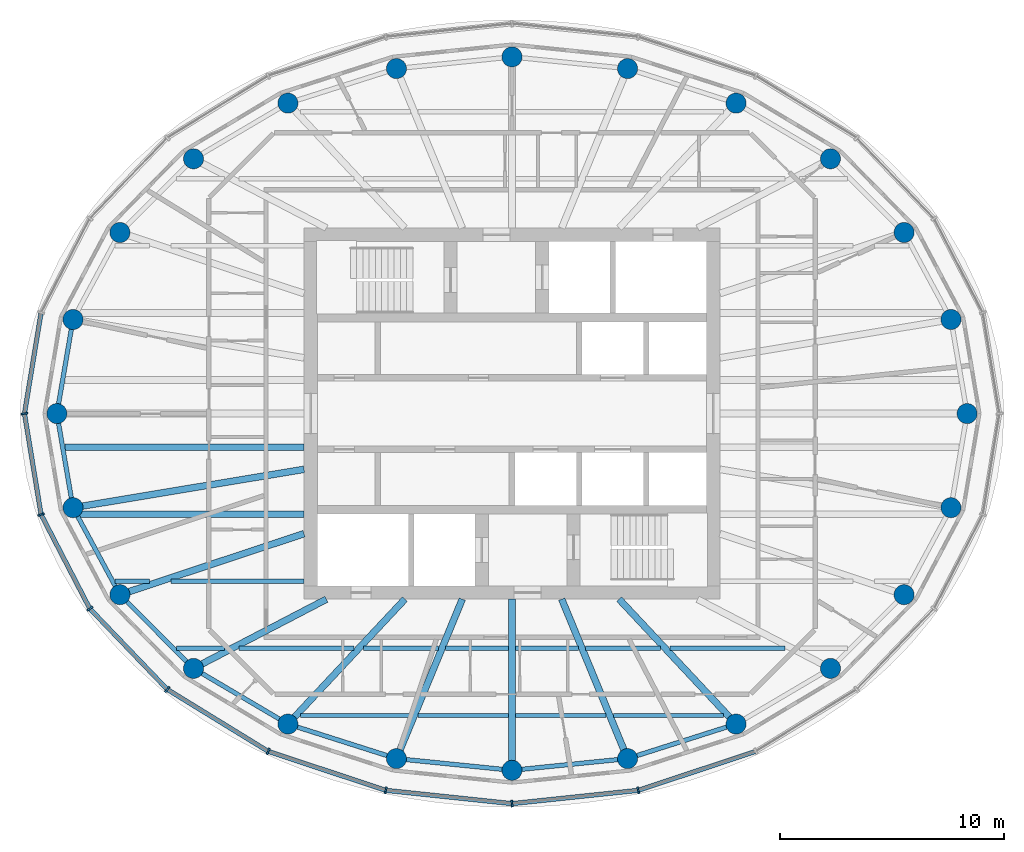
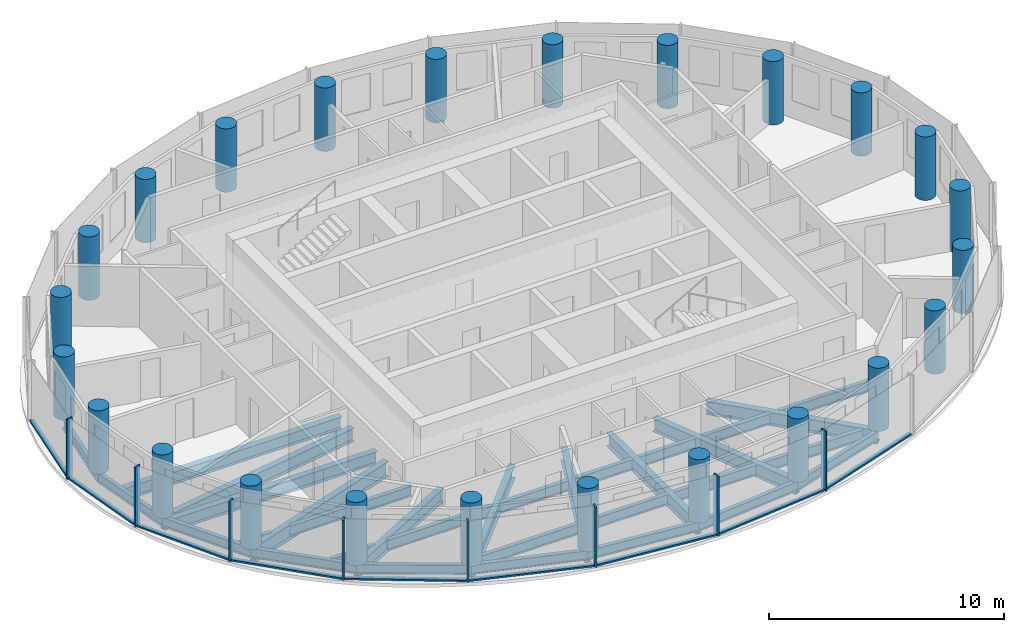
# One storey, part 1 of 11: 32 beams, 24 columns, 17 members, 3 elements without a shape of their own.
"""IFC4 building model written with IfcOpenShell, lengths in metres."""

from ifc_helpers import new_model, si_unit, direction, frame, origin, origin_2d, place, context, subcontext, project, spatial, rectangle, circle, i_section, extrude, material, material_profile, profile_set, type_object, element, aggregate, save


model = new_model("IFC4")

# Units and contexts
model_context = context("Model", 3, precision=1e-05, world=origin(), true_north=direction((0.0, 1.0)))
body_context = subcontext(model_context, "Body", "Model", "MODEL_VIEW")
ifc_project = project(units=[si_unit("LENGTHUNIT", "METRE"), si_unit("AREAUNIT", "SQUARE_METRE"), si_unit("VOLUMEUNIT", "CUBIC_METRE"), si_unit("PLANEANGLEUNIT", "RADIAN"), si_unit("MASSUNIT", "GRAM", prefix="KILO")], contexts=[model_context])

# Site, building, storey
site_placement = place(None, origin())
site = spatial("IfcSite", under=ifc_project, at=site_placement, CompositionType="ELEMENT")
building_placement = place(site_placement, origin())
building = spatial("IfcBuilding", under=site, at=building_placement, Name="Hankou Lantern Tower", CompositionType="ELEMENT")
storey_placement = place(building_placement, frame((0.0, 0.0, 212.699951171875)))
storey = spatial("IfcBuildingStorey", under=building, at=storey_placement, Name="L57", CompositionType="ELEMENT", Elevation=212.699951171875)

# Columns
ifc_material_1 = material(Name="Concrete C50", Category="concrete")
ifc_material_profile_1 = material_profile(ifc_material_1, circle(Radius=0.449951171875, at=origin_2d()), Name="RC D900")
ifc_profile_set_1 = profile_set([ifc_material_profile_1], Name="Concrete C50")
column_type = type_object("IfcColumnType", Name="TC5 PERIMETER COLUMN RC D900", PredefinedType="COLUMN", material=ifc_profile_set_1)
for number, where, z_axis, x_axis, name in (
    (1, (20.35009765625, 0.0, 0.0), (0.0, 0.0, 1.0), (1.0, 0.0, 0.0), "Column R01 L57"),
    (2, (19.629150390625, 4.207763671875, 0.0), (0.0, 0.0, 1.0), (1.0, 0.0, 0.0), "Column R02 L57"),
    (3, (17.5322265625, 8.097900390625, 0.0), (0.0, 0.0, 1.0), (1.0, 0.0, 0.0), "Column R03 L57"),
    (4, (14.241455078125, 11.393310546875, 0.0), (0.0, 0.0, 1.0), (1.0, 0.0, 0.0), "Column R04 L57"),
    (5, (10.01904296875, 13.8828125, 0.0), (0.0, 0.0, 1.0), (1.0, 0.0, 0.0), "Column R05 L57"),
    (6, (5.167236328125, 15.42724609375, 0.0), (0.0, 0.0, 1.0), (1.0, 0.0, 0.0), "Column R06 L57"),
    (7, (0.0, 15.949951171875, 0.0), (0.0, 0.0, 1.0), (1.0, 0.0, 0.0), "Column R07 L57"),
    (8, (-5.167236328125, 15.42724609375, 0.0), (0.0, 0.0, 1.0), (1.0, 0.0, 0.0), "Column R08 L57"),
    (9, (-10.01904296875, 13.8828125, 0.0), (0.0, 0.0, 1.0), (1.0, 0.0, 0.0), "Column R09 L57"),
    (10, (-14.241455078125, 11.393310546875, 0.0), (0.0, 0.0, 1.0), (1.0, 0.0, 0.0), "Column R10 L57"),
    (11, (-17.5322265625, 8.097900390625, 0.0), (0.0, 0.0, 1.0), (1.0, 0.0, 0.0), "Column R11 L57"),
    (12, (-19.629150390625, 4.207763671875, 0.0), (0.0, 0.0, 1.0), (1.0, 0.0, 0.0), "Column R12 L57"),
    (13, (-20.35009765625, 0.0, 0.0), (0.0, 0.0, 1.0), (1.0, 0.0, 0.0), "Column R13 L57"),
    (14, (-19.629150390625, -4.207763671875, 0.0), (0.0, 0.0, 1.0), (1.0, 0.0, 0.0), "Column R14 L57"),
    (15, (-17.5322265625, -8.097900390625, 0.0), (0.0, 0.0, 1.0), (1.0, 0.0, 0.0), "Column R15 L57"),
    (16, (-14.241455078125, -11.393310546875, 0.0), (0.0, 0.0, 1.0), (1.0, 0.0, 0.0), "Column R16 L57"),
    (17, (-10.01904296875, -13.8828125, 0.0), (0.0, 0.0, 1.0), (1.0, 0.0, 0.0), "Column R17 L57"),
    (18, (-5.167236328125, -15.42724609375, 0.0), (0.0, 0.0, 1.0), (1.0, 0.0, 0.0), "Column R18 L57"),
    (19, (0.0, -15.949951171875, 0.0), (0.0, 0.0, 1.0), (1.0, 0.0, 0.0), "Column R19 L57"),
    (20, (5.167236328125, -15.42724609375, 0.0), (0.0, 0.0, 1.0), (1.0, 0.0, 0.0), "Column R20 L57"),
    (21, (10.01904296875, -13.8828125, 0.0), (0.0, 0.0, 1.0), (1.0, 0.0, 0.0), "Column R21 L57"),
    (22, (14.241455078125, -11.393310546875, 0.0), (0.0, 0.0, 1.0), (1.0, 0.0, 0.0), "Column R22 L57"),
    (23, (17.5322265625, -8.097900390625, 0.0), (0.0, 0.0, 1.0), (1.0, 0.0, 0.0), "Column R23 L57"),
    (24, (19.629150390625, -4.207763671875, 0.0), (0.0, 0.0, 1.0), (1.0, 0.0, 0.0), "Column R24 L57"),
):
    element("IfcColumn", number, at=place(storey_placement, frame(where, z_axis=z_axis, x_axis=x_axis)), inside=storey, type_object=column_type, Name=name, PredefinedType="COLUMN", context=body_context, shape_type="SweptSolid", body=[
        extrude(circle(Radius=0.449951171875, at=origin_2d()), origin(), (0.0, 0.0, 1.0), 3.300048828125),
    ])

# Beams
ifc_material_2 = material(Name="Steel Q355B", Category="steel")
ifc_material_profile_2 = material_profile(ifc_material_2, i_section(OverallWidth=0.199951171875, OverallDepth=0.5, WebThickness=0.010009765625, FlangeThickness=0.01611328125, FilletRadius=0.012939453125, at=origin_2d()), Name="HN500x200x10x16")
ifc_profile_set_2 = profile_set([ifc_material_profile_2], Name="Steel Q355B")
beam_type_1 = type_object("IfcBeamType", Name="EB5 RING BEAM HN500x200x10x16", PredefinedType="SPANDREL", material=ifc_profile_set_2)
for number, where, z_axis, x_axis, name in (
    (25, (-19.629150390625, 4.207763671875, -0.429931640625), (-0.168876512999, -0.98563721691, 0.0), (0.98563721691, -0.168876512999, 0.0), "Ring beam R12-R13 L57"),
    (26, (-20.35009765625, 0.0, -0.429931640625), (0.168876512999, -0.98563721691, 0.0), (0.98563721691, 0.168876512999, 0.0), "Ring beam R13-R14 L57"),
):
    element("IfcBeam", number, at=place(storey_placement, frame(where, z_axis=z_axis, x_axis=x_axis)), inside=storey, type_object=beam_type_1, Name=name, PredefinedType="SPANDREL", context=body_context, shape_type="SweptSolid", body=[
        extrude(i_section(OverallWidth=0.199951171875, OverallDepth=0.5, WebThickness=0.010009765625, FlangeThickness=0.01611328125, FilletRadius=0.012939453125, at=origin_2d()), origin(), (0.0, 0.0, 1.0), 4.26904296875),
    ])
beam_1_placement = place(storey_placement, frame((-19.629150390625, -4.207763671875, -0.429931640625), z_axis=(0.474491806611, -0.880259919262, 0.0), x_axis=(0.880259919262, 0.474491806611, 0.0)))
element("IfcBeam", 27, at=beam_1_placement, inside=storey, type_object=beam_type_1, Name="Ring beam R14-R15 L57", PredefinedType="SPANDREL", context=body_context, shape_type="SweptSolid", body=[
    extrude(i_section(OverallWidth=0.199951171875, OverallDepth=0.5, WebThickness=0.010009765625, FlangeThickness=0.01611328125, FilletRadius=0.012939453125, at=origin_2d()), origin(), (0.0, 0.0, 1.0), 4.419189453125),
])
beam_2_placement = place(storey_placement, frame((-17.5322265625, -8.097900390625, -0.429931640625), z_axis=(0.706608588034, -0.707604623583, 0.0), x_axis=(0.707604623583, 0.706608588034, 0.0)))
element("IfcBeam", 28, at=beam_2_placement, inside=storey, type_object=beam_type_1, Name="Ring beam R15-R16 L57", PredefinedType="SPANDREL", context=body_context, shape_type="SweptSolid", body=[
    extrude(i_section(OverallWidth=0.199951171875, OverallDepth=0.5, WebThickness=0.010009765625, FlangeThickness=0.01611328125, FilletRadius=0.012939453125, at=origin_2d()), origin(), (0.0, 0.0, 1.0), 4.6572265625),
])
beam_3_placement = place(storey_placement, frame((-14.241455078125, -11.393310546875, -0.429931640625), z_axis=(0.861422897323, -0.507888365655, 0.0), x_axis=(0.507888365655, 0.861422897323, 0.0)))
element("IfcBeam", 29, at=beam_3_placement, inside=storey, type_object=beam_type_1, Name="Ring beam R16-R17 L57", PredefinedType="SPANDREL", context=body_context, shape_type="SweptSolid", body=[
    extrude(i_section(OverallWidth=0.199951171875, OverallDepth=0.5, WebThickness=0.010009765625, FlangeThickness=0.01611328125, FilletRadius=0.012939453125, at=origin_2d()), origin(), (0.0, 0.0, 1.0), 4.901611328125),
])
beam_4_placement = place(storey_placement, frame((-10.01904296875, -13.8828125, -0.429931640625), z_axis=(0.952887359315, -0.303324381574, 0.0), x_axis=(0.303324381574, 0.952887359315, 0.0)))
element("IfcBeam", 30, at=beam_4_placement, inside=storey, type_object=beam_type_1, Name="Ring beam R17-R18 L57", PredefinedType="SPANDREL", context=body_context, shape_type="SweptSolid", body=[
    extrude(i_section(OverallWidth=0.199951171875, OverallDepth=0.5, WebThickness=0.010009765625, FlangeThickness=0.01611328125, FilletRadius=0.012939453125, at=origin_2d()), origin(), (0.0, 0.0, 1.0), 5.091796875),
])
for number, where, z_axis, x_axis, name in (
    (31, (-5.167236328125, -15.42724609375, -0.429931640625), (0.994922507736, -0.100643944676, 0.0), (0.100643944676, 0.994922507736, 0.0), "Ring beam R18-R19 L57"),
    (32, (0.0, -15.949951171875, -0.429931640625), (0.994922507736, 0.100643944676, 0.0), (-0.100643944676, 0.994922507736, 0.0), "Ring beam R19-R20 L57"),
):
    element("IfcBeam", number, at=place(storey_placement, frame(where, z_axis=z_axis, x_axis=x_axis)), inside=storey, type_object=beam_type_1, Name=name, PredefinedType="SPANDREL", context=body_context, shape_type="SweptSolid", body=[
        extrude(i_section(OverallWidth=0.199951171875, OverallDepth=0.5, WebThickness=0.010009765625, FlangeThickness=0.01611328125, FilletRadius=0.012939453125, at=origin_2d()), origin(), (0.0, 0.0, 1.0), 5.193603515625),
    ])
beam_5_placement = place(storey_placement, frame((5.167236328125, -15.42724609375, -0.429931640625), z_axis=(0.952887359315, 0.303324381574, 0.0), x_axis=(-0.303324381574, 0.952887359315, 0.0)))
element("IfcBeam", 33, at=beam_5_placement, inside=storey, type_object=beam_type_1, Name="Ring beam R20-R21 L57", PredefinedType="SPANDREL", context=body_context, shape_type="SweptSolid", body=[
    extrude(i_section(OverallWidth=0.199951171875, OverallDepth=0.5, WebThickness=0.010009765625, FlangeThickness=0.01611328125, FilletRadius=0.012939453125, at=origin_2d()), origin(), (0.0, 0.0, 1.0), 5.091796875),
])

# Curtain wall, members
ifc_material_3 = material(Name="Glass, dark grey tinted laminated", Category="glass")
curtain_wall_type = type_object("IfcCurtainWallType", Name="CWD OUTER SKIN SUITE", PredefinedType="USERDEFINED", material=ifc_material_3)
curtain_wall_1_placement = place(storey_placement, origin())
curtain_wall_1 = element("IfcCurtainWall", 34, at=curtain_wall_1_placement, inside=storey, type_object=curtain_wall_type, Name="CWD L57 OS3", ObjectType="OUTER SKIN SUITE", PredefinedType="USERDEFINED")
ifc_material_4 = material(Name="Aluminium, black anodised", Category="aluminium")
ifc_material_profile_3 = material_profile(ifc_material_4, rectangle(XDim=0.080078125, YDim=0.300048828125, at=origin_2d()), Name="MU1 80X300")
ifc_profile_set_3 = profile_set([ifc_material_profile_3], Name="Aluminium, black anodised")
member_type_1 = type_object("IfcMemberType", Name="MU1 OUTER SKIN MULLION 80X300", PredefinedType="MULLION", material=ifc_profile_set_3)
member_1_placement = place(storey_placement, frame((-21.800048828125, 0.0, 0.0), z_axis=(0.0, 0.0, 1.0), x_axis=(0.162381515188, -0.986728049427, 0.0)))
member_1 = element("IfcMember", 35, at=member_1_placement, type_object=member_type_1, Name="CWD mullion 1", PredefinedType="MULLION", context=body_context, shape_type="SweptSolid", body=[
    extrude(rectangle(XDim=0.080078125, YDim=0.300048828125, at=origin_2d()), origin(), (0.0, 0.0, 1.0), 3.1201171875),
])
member_2_placement = place(storey_placement, frame((-21.05712890625, -4.513916015625, 0.0), z_axis=(0.0, 0.0, 1.0), x_axis=(0.317595577365, -0.94822626479, 0.0)))
member_2 = element("IfcMember", 36, at=member_2_placement, type_object=member_type_1, Name="CWD mullion 2", PredefinedType="MULLION", context=body_context, shape_type="SweptSolid", body=[
    extrude(rectangle(XDim=0.080078125, YDim=0.300048828125, at=origin_2d()), origin(), (0.0, 0.0, 1.0), 3.1201171875),
])
member_3_placement = place(storey_placement, frame((-18.87939453125, -8.719970703125, 0.0), z_axis=(0.0, 0.0, 1.0), x_axis=(0.585205735974, -0.810884854084, 0.0)))
member_3 = element("IfcMember", 37, at=member_3_placement, type_object=member_type_1, Name="CWD mullion 3", PredefinedType="MULLION", context=body_context, shape_type="SweptSolid", body=[
    extrude(rectangle(XDim=0.080078125, YDim=0.300048828125, at=origin_2d()), origin(), (0.0, 0.0, 1.0), 3.1201171875),
])
member_4_placement = place(storey_placement, frame((-15.4150390625, -12.33203125, 0.0), z_axis=(0.0, 0.0, 1.0), x_axis=(0.780868809444, -0.624695047553, 0.0)))
member_4 = element("IfcMember", 38, at=member_4_placement, type_object=member_type_1, Name="CWD mullion 4", PredefinedType="MULLION", context=body_context, shape_type="SweptSolid", body=[
    extrude(rectangle(XDim=0.080078125, YDim=0.300048828125, at=origin_2d()), origin(), (0.0, 0.0, 1.0), 3.1201171875),
])
member_5_placement = place(storey_placement, frame((-10.89990234375, -15.103515625, 0.0), z_axis=(0.0, 0.0, 1.0), x_axis=(0.907841299004, -0.419313934686, 0.0)))
member_5 = element("IfcMember", 39, at=member_5_placement, type_object=member_type_1, Name="CWD mullion 5", PredefinedType="MULLION", context=body_context, shape_type="SweptSolid", body=[
    extrude(rectangle(XDim=0.080078125, YDim=0.300048828125, at=origin_2d()), origin(), (0.0, 0.0, 1.0), 3.1201171875),
])
member_6_placement = place(storey_placement, frame((-5.642333984375, -16.845703125, 0.0), z_axis=(0.0, 0.0, 1.0), x_axis=(0.977787659625, -0.209597931016, 0.0)))
member_6 = element("IfcMember", 40, at=member_6_placement, type_object=member_type_1, Name="CWD mullion 6", PredefinedType="MULLION", context=body_context, shape_type="SweptSolid", body=[
    extrude(rectangle(XDim=0.080078125, YDim=0.300048828125, at=origin_2d()), origin(), (0.0, 0.0, 1.0), 3.1201171875),
])

curtain_wall_2_placement = place(storey_placement, origin())
curtain_wall_2 = element("IfcCurtainWall", 41, at=curtain_wall_2_placement, inside=storey, type_object=curtain_wall_type, Name="CWD L57 OS4", ObjectType="OUTER SKIN SUITE", PredefinedType="USERDEFINED")
member_7_placement = place(storey_placement, frame((0.0, -17.43994140625, 0.0), z_axis=(0.0, 0.0, 1.0), x_axis=(0.994499359107, 0.104742659579, 0.0)))
member_7 = element("IfcMember", 42, at=member_7_placement, type_object=member_type_1, Name="CWD mullion 1", PredefinedType="MULLION", context=body_context, shape_type="SweptSolid", body=[
    extrude(rectangle(XDim=0.080078125, YDim=0.300048828125, at=origin_2d()), origin(), (0.0, 0.0, 1.0), 3.1201171875),
])
member_8_placement = place(storey_placement, frame((5.642333984375, -16.845703125, 0.0), z_axis=(0.0, 0.0, 1.0), x_axis=(0.977787659625, 0.209597931016, 0.0)))
member_8 = element("IfcMember", 43, at=member_8_placement, type_object=member_type_1, Name="CWD mullion 2", PredefinedType="MULLION", context=body_context, shape_type="SweptSolid", body=[
    extrude(rectangle(XDim=0.080078125, YDim=0.300048828125, at=origin_2d()), origin(), (0.0, 0.0, 1.0), 3.1201171875),
])

# Beams
ifc_material_5 = material(Name="Steel Q355B", Category="steel")
ifc_material_profile_4 = material_profile(ifc_material_5, i_section(OverallWidth=0.300048828125, OverallDepth=0.800048828125, WebThickness=0.013916015625, FlangeThickness=0.02587890625, FilletRadius=0.01806640625, at=origin_2d()), Name="HN800x300x14x26")
ifc_profile_set_4 = profile_set([ifc_material_profile_4], Name="Steel Q355B")
beam_type_2 = type_object("IfcBeamType", Name="RB11 RADIAL BEAM HN800x300x14x26", PredefinedType="BEAM", material=ifc_profile_set_4)
beam_6_placement = place(storey_placement, frame((-9.300048828125, -5.369384765625, -0.579833984375), z_axis=(-0.949219608576, -0.314614263337, 0.0), x_axis=(0.314614263337, -0.949219608576, 0.0)))
element("IfcBeam", 44, at=beam_6_placement, inside=storey, type_object=beam_type_2, Name="Radial beam R15 L57", PredefinedType="BEAM", context=body_context, shape_type="SweptSolid", body=[
    extrude(i_section(OverallWidth=0.300048828125, OverallDepth=0.800048828125, WebThickness=0.013916015625, FlangeThickness=0.02587890625, FilletRadius=0.01806640625, at=origin_2d()), origin(), (0.0, 0.0, 1.0), 8.672607421875),
])
ifc_material_6 = material(Name="Steel Q355B", Category="steel")
ifc_material_profile_5 = material_profile(ifc_material_6, i_section(OverallWidth=0.300048828125, OverallDepth=0.699951171875, WebThickness=0.012939453125, FlangeThickness=0.02392578125, FilletRadius=0.01806640625, at=origin_2d()), Name="HN700x300x13x24")
ifc_profile_set_5 = profile_set([ifc_material_profile_5], Name="Steel Q355B")
beam_type_3 = type_object("IfcBeamType", Name="RB9 RADIAL BEAM HN700x300x13x24", PredefinedType="BEAM", material=ifc_profile_set_5)
beam_7_placement = place(storey_placement, frame((-9.300048828125, -2.491943359375, -0.530029296875), z_axis=(-0.986482007061, -0.163869612027, 0.0), x_axis=(0.163869612027, -0.986482007061, 0.0)))
element("IfcBeam", 45, at=beam_7_placement, inside=storey, type_object=beam_type_3, Name="Radial beam R14 L57", PredefinedType="BEAM", context=body_context, shape_type="SweptSolid", body=[
    extrude(i_section(OverallWidth=0.300048828125, OverallDepth=0.699951171875, WebThickness=0.012939453125, FlangeThickness=0.02392578125, FilletRadius=0.01806640625, at=origin_2d()), origin(), (0.0, 0.0, 1.0), 10.470703125),
])
beam_8_placement = place(storey_placement, frame((-8.300048828125, -8.300048828125, -0.530029296875), z_axis=(-0.886988734783, -0.461791061378, 0.0), x_axis=(0.461791061378, -0.886988734783, 0.0)))
element("IfcBeam", 46, at=beam_8_placement, inside=storey, type_object=beam_type_3, Name="Radial beam R16 L57", PredefinedType="BEAM", context=body_context, shape_type="SweptSolid", body=[
    extrude(i_section(OverallWidth=0.300048828125, OverallDepth=0.699951171875, WebThickness=0.012939453125, FlangeThickness=0.02392578125, FilletRadius=0.01806640625, at=origin_2d()), origin(), (0.0, 0.0, 1.0), 6.698486328125),
])
beam_9_placement = place(storey_placement, frame((-4.7919921875, -8.300048828125, -0.530029296875), z_axis=(-0.68346844743, -0.729980055459, 0.0), x_axis=(0.729980055459, -0.68346844743, 0.0)))
element("IfcBeam", 47, at=beam_9_placement, inside=storey, type_object=beam_type_3, Name="Radial beam R17 L57", PredefinedType="BEAM", context=body_context, shape_type="SweptSolid", body=[
    extrude(i_section(OverallWidth=0.300048828125, OverallDepth=0.699951171875, WebThickness=0.012939453125, FlangeThickness=0.02392578125, FilletRadius=0.01806640625, at=origin_2d()), origin(), (0.0, 0.0, 1.0), 7.64794921875),
])
beam_10_placement = place(storey_placement, frame((-2.223876953125, -8.300048828125, -0.530029296875), z_axis=(-0.381706648123, -0.924283525104, 0.0), x_axis=(0.924283525104, -0.381706648123, 0.0)))
element("IfcBeam", 48, at=beam_10_placement, inside=storey, type_object=beam_type_3, Name="Radial beam R18 L57", PredefinedType="BEAM", context=body_context, shape_type="SweptSolid", body=[
    extrude(i_section(OverallWidth=0.300048828125, OverallDepth=0.699951171875, WebThickness=0.012939453125, FlangeThickness=0.02392578125, FilletRadius=0.01806640625, at=origin_2d()), origin(), (0.0, 0.0, 1.0), 7.7109375),
])
beam_11_placement = place(storey_placement, frame((0.0, -8.300048828125, -0.530029296875), z_axis=(0.0, -1.0, 0.0), x_axis=(1.0, 0.0, 0.0)))
element("IfcBeam", 49, at=beam_11_placement, inside=storey, type_object=beam_type_3, Name="Radial beam R19 L57", PredefinedType="BEAM", context=body_context, shape_type="SweptSolid", body=[
    extrude(i_section(OverallWidth=0.300048828125, OverallDepth=0.699951171875, WebThickness=0.012939453125, FlangeThickness=0.02392578125, FilletRadius=0.01806640625, at=origin_2d()), origin(), (0.0, 0.0, 1.0), 7.64990234375),
])
beam_12_placement = place(storey_placement, frame((2.223876953125, -8.300048828125, -0.530029296875), z_axis=(0.381706648123, -0.924283525104, 0.0), x_axis=(0.924283525104, 0.381706648123, 0.0)))
element("IfcBeam", 50, at=beam_12_placement, inside=storey, type_object=beam_type_3, Name="Radial beam R20 L57", PredefinedType="BEAM", context=body_context, shape_type="SweptSolid", body=[
    extrude(i_section(OverallWidth=0.300048828125, OverallDepth=0.699951171875, WebThickness=0.012939453125, FlangeThickness=0.02392578125, FilletRadius=0.01806640625, at=origin_2d()), origin(), (0.0, 0.0, 1.0), 7.7109375),
])
beam_13_placement = place(storey_placement, frame((4.7919921875, -8.300048828125, -0.530029296875), z_axis=(0.68346844743, -0.729980055459, 0.0), x_axis=(0.729980055459, 0.68346844743, 0.0)))
element("IfcBeam", 51, at=beam_13_placement, inside=storey, type_object=beam_type_3, Name="Radial beam R21 L57", PredefinedType="BEAM", context=body_context, shape_type="SweptSolid", body=[
    extrude(i_section(OverallWidth=0.300048828125, OverallDepth=0.699951171875, WebThickness=0.012939453125, FlangeThickness=0.02392578125, FilletRadius=0.01806640625, at=origin_2d()), origin(), (0.0, 0.0, 1.0), 7.64794921875),
])
ifc_material_7 = material(Name="Steel Q355B", Category="steel")
ifc_material_profile_6 = material_profile(ifc_material_7, i_section(OverallWidth=0.199951171875, OverallDepth=0.550048828125, WebThickness=0.010009765625, FlangeThickness=0.01611328125, FilletRadius=0.012939453125, at=origin_2d()), Name="HN550x200x10x16")
ifc_profile_set_6 = profile_set([ifc_material_profile_6], Name="Steel Q355B")
beam_type_4 = type_object("IfcBeamType", Name="SB6 SECONDARY BEAM HN550x200x10x16", PredefinedType="JOIST", material=ifc_profile_set_6)
beam_14_placement = place(storey_placement, frame((-9.455078125, -13.5, -0.454833984375), z_axis=(1.0, 0.0, 0.0), x_axis=(0.0, 1.0, 0.0)))
element("IfcBeam", 52, at=beam_14_placement, inside=storey, type_object=beam_type_4, Name="Floor joist J001 L57", PredefinedType="JOIST", context=body_context, shape_type="SweptSolid", body=[
    extrude(i_section(OverallWidth=0.199951171875, OverallDepth=0.550048828125, WebThickness=0.010009765625, FlangeThickness=0.01611328125, FilletRadius=0.012939453125, at=origin_2d()), origin(), (0.0, 0.0, 1.0), 4.92138671875),
])
for number, where, z_axis, x_axis, name in (
    (53, (-4.208984375, -13.5, -0.454833984375), (1.0, 0.0, 0.0), (0.0, 1.0, 0.0), "Floor joist J002 L57"),
    (54, (0.14990234375, -13.5, -0.454833984375), (1.0, 0.0, 0.0), (0.0, 1.0, 0.0), "Floor joist J003 L57"),
):
    element("IfcBeam", number, at=place(storey_placement, frame(where, z_axis=z_axis, x_axis=x_axis)), inside=storey, type_object=beam_type_4, Name=name, PredefinedType="JOIST", context=body_context, shape_type="SweptSolid", body=[
        extrude(i_section(OverallWidth=0.199951171875, OverallDepth=0.550048828125, WebThickness=0.010009765625, FlangeThickness=0.01611328125, FilletRadius=0.012939453125, at=origin_2d()), origin(), (0.0, 0.0, 1.0), 4.05908203125),
    ])
beam_15_placement = place(storey_placement, frame((4.53369140625, -13.5, -0.454833984375), z_axis=(1.0, 0.0, 0.0), x_axis=(0.0, 1.0, 0.0)))
element("IfcBeam", 55, at=beam_15_placement, inside=storey, type_object=beam_type_4, Name="Floor joist J004 L57", PredefinedType="JOIST", context=body_context, shape_type="SweptSolid", body=[
    extrude(i_section(OverallWidth=0.199951171875, OverallDepth=0.550048828125, WebThickness=0.010009765625, FlangeThickness=0.01611328125, FilletRadius=0.012939453125, at=origin_2d()), origin(), (0.0, 0.0, 1.0), 4.92138671875),
])
beam_16_placement = place(storey_placement, frame((-14.9921875, -10.5, -0.454833984375), z_axis=(1.0, 0.0, 0.0), x_axis=(0.0, 1.0, 0.0)))
element("IfcBeam", 56, at=beam_16_placement, inside=storey, type_object=beam_type_4, Name="Floor joist J005 L57", PredefinedType="JOIST", context=body_context, shape_type="SweptSolid", body=[
    extrude(i_section(OverallWidth=0.199951171875, OverallDepth=0.550048828125, WebThickness=0.010009765625, FlangeThickness=0.01611328125, FilletRadius=0.012939453125, at=origin_2d()), origin(), (0.0, 0.0, 1.0), 2.1416015625),
])
beam_17_placement = place(storey_placement, frame((-12.200927734375, -10.5, -0.454833984375), z_axis=(1.0, 0.0, 0.0), x_axis=(0.0, 1.0, 0.0)))
element("IfcBeam", 57, at=beam_17_placement, inside=storey, type_object=beam_type_4, Name="Floor joist J006 L57", PredefinedType="JOIST", context=body_context, shape_type="SweptSolid", body=[
    extrude(i_section(OverallWidth=0.199951171875, OverallDepth=0.550048828125, WebThickness=0.010009765625, FlangeThickness=0.01611328125, FilletRadius=0.012939453125, at=origin_2d()), origin(), (0.0, 0.0, 1.0), 5.1435546875),
])
beam_18_placement = place(storey_placement, frame((-6.646240234375, -10.5, -0.454833984375), z_axis=(1.0, 0.0, 0.0), x_axis=(0.0, 1.0, 0.0)))
element("IfcBeam", 58, at=beam_18_placement, inside=storey, type_object=beam_type_4, Name="Floor joist J007 L57", PredefinedType="JOIST", context=body_context, shape_type="SweptSolid", body=[
    extrude(i_section(OverallWidth=0.199951171875, OverallDepth=0.550048828125, WebThickness=0.010009765625, FlangeThickness=0.01611328125, FilletRadius=0.012939453125, at=origin_2d()), origin(), (0.0, 0.0, 1.0), 3.3515625),
])
for number, where, z_axis, x_axis, name in (
    (59, (-2.97021484375, -10.5, -0.454833984375), (1.0, 0.0, 0.0), (0.0, 1.0, 0.0), "Floor joist J008 L57"),
    (60, (0.14990234375, -10.5, -0.454833984375), (1.0, 0.0, 0.0), (0.0, 1.0, 0.0), "Floor joist J009 L57"),
):
    element("IfcBeam", number, at=place(storey_placement, frame(where, z_axis=z_axis, x_axis=x_axis)), inside=storey, type_object=beam_type_4, Name=name, PredefinedType="JOIST", context=body_context, shape_type="SweptSolid", body=[
        extrude(i_section(OverallWidth=0.199951171875, OverallDepth=0.550048828125, WebThickness=0.010009765625, FlangeThickness=0.01611328125, FilletRadius=0.012939453125, at=origin_2d()), origin(), (0.0, 0.0, 1.0), 2.8203125),
    ])
beam_19_placement = place(storey_placement, frame((3.294677734375, -10.5, -0.454833984375), z_axis=(1.0, 0.0, 0.0), x_axis=(0.0, 1.0, 0.0)))
element("IfcBeam", 61, at=beam_19_placement, inside=storey, type_object=beam_type_4, Name="Floor joist J010 L57", PredefinedType="JOIST", context=body_context, shape_type="SweptSolid", body=[
    extrude(i_section(OverallWidth=0.199951171875, OverallDepth=0.550048828125, WebThickness=0.010009765625, FlangeThickness=0.01611328125, FilletRadius=0.012939453125, at=origin_2d()), origin(), (0.0, 0.0, 1.0), 3.3515625),
])
beam_20_placement = place(storey_placement, frame((7.057373046875, -10.5, -0.454833984375), z_axis=(1.0, 0.0, 0.0), x_axis=(0.0, 1.0, 0.0)))
element("IfcBeam", 62, at=beam_20_placement, inside=storey, type_object=beam_type_4, Name="Floor joist J011 L57", PredefinedType="JOIST", context=body_context, shape_type="SweptSolid", body=[
    extrude(i_section(OverallWidth=0.199951171875, OverallDepth=0.550048828125, WebThickness=0.010009765625, FlangeThickness=0.01611328125, FilletRadius=0.012939453125, at=origin_2d()), origin(), (0.0, 0.0, 1.0), 5.1435546875),
])
beam_21_placement = place(storey_placement, frame((-17.740966796875, -7.5, -0.454833984375), z_axis=(1.0, 0.0, 0.0), x_axis=(0.0, 1.0, 0.0)))
element("IfcBeam", 63, at=beam_21_placement, inside=storey, type_object=beam_type_4, Name="Floor joist J013 L57", PredefinedType="JOIST", context=body_context, shape_type="SweptSolid", body=[
    extrude(i_section(OverallWidth=0.199951171875, OverallDepth=0.550048828125, WebThickness=0.010009765625, FlangeThickness=0.01611328125, FilletRadius=0.012939453125, at=origin_2d()), origin(), (0.0, 0.0, 1.0), 1.53564453125),
])
beam_22_placement = place(storey_placement, frame((-15.251708984375, -7.5, -0.454833984375), z_axis=(1.0, 0.0, 0.0), x_axis=(0.0, 1.0, 0.0)))
element("IfcBeam", 64, at=beam_22_placement, inside=storey, type_object=beam_type_4, Name="Floor joist J014 L57", PredefinedType="JOIST", context=body_context, shape_type="SweptSolid", body=[
    extrude(i_section(OverallWidth=0.199951171875, OverallDepth=0.550048828125, WebThickness=0.010009765625, FlangeThickness=0.01611328125, FilletRadius=0.012939453125, at=origin_2d()), origin(), (0.0, 0.0, 1.0), 5.95166015625),
])
ifc_material_8 = material(Name="Steel Q355B", Category="steel")
ifc_material_profile_7 = material_profile(ifc_material_8, i_section(OverallWidth=0.300048828125, OverallDepth=0.64990234375, WebThickness=0.010986328125, FlangeThickness=0.01708984375, FilletRadius=0.01806640625, at=origin_2d()), Name="HN650x300x11x17")
ifc_profile_set_7 = profile_set([ifc_material_profile_7], Name="Steel Q355B")
beam_type_5 = type_object("IfcBeamType", Name="SB8 SECONDARY BEAM HN650x300x11x17", PredefinedType="JOIST", material=ifc_profile_set_7)
beam_23_placement = place(storey_placement, frame((-19.35791015625, -4.5, -0.5048828125), z_axis=(1.0, 0.0, 0.0), x_axis=(0.0, 1.0, 0.0)))
element("IfcBeam", 65, at=beam_23_placement, inside=storey, type_object=beam_type_5, Name="Floor joist J017 L57", PredefinedType="JOIST", context=body_context, shape_type="SweptSolid", body=[
    extrude(i_section(OverallWidth=0.300048828125, OverallDepth=0.64990234375, WebThickness=0.010986328125, FlangeThickness=0.01708984375, FilletRadius=0.01806640625, at=origin_2d()), origin(), (0.0, 0.0, 1.0), 10.057861328125),
])
beam_24_placement = place(storey_placement, frame((-19.991455078125, -1.5, -0.5048828125), z_axis=(1.0, 0.0, 0.0), x_axis=(0.0, 1.0, 0.0)))
element("IfcBeam", 66, at=beam_24_placement, inside=storey, type_object=beam_type_5, Name="Floor joist J019 L57", PredefinedType="JOIST", context=body_context, shape_type="SweptSolid", body=[
    extrude(i_section(OverallWidth=0.300048828125, OverallDepth=0.64990234375, WebThickness=0.010986328125, FlangeThickness=0.01708984375, FilletRadius=0.01806640625, at=origin_2d()), origin(), (0.0, 0.0, 1.0), 10.69140625),
])

# Curtain wall, member
curtain_wall_3_placement = place(storey_placement, origin())
curtain_wall_3 = element("IfcCurtainWall", 67, at=curtain_wall_3_placement, inside=storey, type_object=curtain_wall_type, Name="CWD L57 OS2", ObjectType="OUTER SKIN SUITE", PredefinedType="USERDEFINED")
ifc_material_9 = material(Name="Aluminium, black anodised", Category="aluminium")
ifc_material_profile_8 = material_profile(ifc_material_9, rectangle(XDim=0.199951171875, YDim=0.080078125, at=origin_2d()), Name="TR1 200X80")
ifc_profile_set_8 = profile_set([ifc_material_profile_8], Name="Aluminium, black anodised")
member_type_2 = type_object("IfcMemberType", Name="TR1 OUTER SKIN TRANSOM 200X80", PredefinedType="USERDEFINED", material=ifc_profile_set_8)
member_9_placement = place(storey_placement, frame((-21.063720703125, 4.474365234375, 0.0400390625), z_axis=(-0.162363822839, -0.986730960816, 0.0), x_axis=(0.986730960816, -0.162363822839, 0.0)))
member_9 = element("IfcMember", 68, at=member_9_placement, type_object=member_type_2, Name="CWD transom 6", ObjectType="TRANSOM", PredefinedType="USERDEFINED", context=body_context, shape_type="SweptSolid", body=[
    extrude(rectangle(XDim=0.199951171875, YDim=0.080078125, at=origin_2d()), origin(), (0.0, 0.0, 1.0), 4.494384765625),
])
aggregate(curtain_wall_3, [member_9])

# Member
member_10_placement = place(storey_placement, frame((-21.79345703125, -0.03955078125, 0.0400390625), z_axis=(0.162363822839, -0.986730960816, 0.0), x_axis=(0.986730960816, 0.162363822839, 0.0)))
member_10 = element("IfcMember", 69, at=member_10_placement, type_object=member_type_2, Name="CWD transom 1", ObjectType="TRANSOM", PredefinedType="USERDEFINED", context=body_context, shape_type="SweptSolid", body=[
    extrude(rectangle(XDim=0.199951171875, YDim=0.080078125, at=origin_2d()), origin(), (0.0, 0.0, 1.0), 4.494384765625),
])

member_11_placement = place(storey_placement, frame((-21.038818359375, -4.54931640625, 0.0400390625), z_axis=(0.45979371115, -0.888025755925, 0.0), x_axis=(0.888025755925, 0.45979371115, 0.0)))
member_11 = element("IfcMember", 70, at=member_11_placement, type_object=member_type_2, Name="CWD transom 2", ObjectType="TRANSOM", PredefinedType="USERDEFINED", context=body_context, shape_type="SweptSolid", body=[
    extrude(rectangle(XDim=0.199951171875, YDim=0.080078125, at=origin_2d()), origin(), (0.0, 0.0, 1.0), 4.65673828125),
])

member_12_placement = place(storey_placement, frame((-18.8515625, -8.748779296875, 0.0400390625), z_axis=(0.692204633274, -0.721701285626, 0.0), x_axis=(0.721701285626, 0.692204633274, 0.0)))
member_12 = element("IfcMember", 71, at=member_12_placement, type_object=member_type_2, Name="CWD transom 3", ObjectType="TRANSOM", PredefinedType="USERDEFINED", context=body_context, shape_type="SweptSolid", body=[
    extrude(rectangle(XDim=0.199951171875, YDim=0.080078125, at=origin_2d()), origin(), (0.0, 0.0, 1.0), 4.9248046875),
])

member_13_placement = place(storey_placement, frame((-15.380859375, -12.352783203125, 0.0400390625), z_axis=(0.852234544008, -0.523159900986, 0.0), x_axis=(0.523159900986, 0.852234544008, 0.0)))
member_13 = element("IfcMember", 72, at=member_13_placement, type_object=member_type_2, Name="CWD transom 4", ObjectType="TRANSOM", PredefinedType="USERDEFINED", context=body_context, shape_type="SweptSolid", body=[
    extrude(rectangle(XDim=0.199951171875, YDim=0.080078125, at=origin_2d()), origin(), (0.0, 0.0, 1.0), 5.2177734375),
])

member_14_placement = place(storey_placement, frame((-10.862060546875, -15.115966796875, 0.0400390625), z_axis=(0.949231947668, -0.314577032739, 0.0), x_axis=(0.314577032739, 0.949231947668, 0.0)))
member_14 = element("IfcMember", 73, at=member_14_placement, type_object=member_type_2, Name="CWD transom 5", ObjectType="TRANSOM", PredefinedType="USERDEFINED", context=body_context, shape_type="SweptSolid", body=[
    extrude(rectangle(XDim=0.199951171875, YDim=0.080078125, at=origin_2d()), origin(), (0.0, 0.0, 1.0), 5.458984375),
])

member_15_placement = place(storey_placement, frame((-5.6025390625, -16.849853515625, 0.0400390625), z_axis=(0.994498275726, -0.104752945435, 0.0), x_axis=(0.104752945435, 0.994498275726, 0.0)))
member_15 = element("IfcMember", 74, at=member_15_placement, type_object=member_type_2, Name="CWD transom 6", ObjectType="TRANSOM", PredefinedType="USERDEFINED", context=body_context, shape_type="SweptSolid", body=[
    extrude(rectangle(XDim=0.199951171875, YDim=0.080078125, at=origin_2d()), origin(), (0.0, 0.0, 1.0), 5.593505859375),
])

aggregate(curtain_wall_1, [member_1, member_2, member_3, member_4, member_5, member_6, member_10, member_11, member_12, member_13, member_14, member_15])

member_16_placement = place(storey_placement, frame((0.039794921875, -17.435791015625, 0.0400390625), z_axis=(0.994498275726, 0.104752945435, 0.0), x_axis=(-0.104752945435, 0.994498275726, 0.0)))
member_16 = element("IfcMember", 75, at=member_16_placement, type_object=member_type_2, Name="CWD transom 1", ObjectType="TRANSOM", PredefinedType="USERDEFINED", context=body_context, shape_type="SweptSolid", body=[
    extrude(rectangle(XDim=0.199951171875, YDim=0.080078125, at=origin_2d()), origin(), (0.0, 0.0, 1.0), 5.593505859375),
])

member_17_placement = place(storey_placement, frame((5.68017578125, -16.833251953125, 0.0400390625), z_axis=(0.949231947668, 0.314577032739, 0.0), x_axis=(-0.314577032739, 0.949231947668, 0.0)))
member_17 = element("IfcMember", 76, at=member_17_placement, type_object=member_type_2, Name="CWD transom 2", ObjectType="TRANSOM", PredefinedType="USERDEFINED", context=body_context, shape_type="SweptSolid", body=[
    extrude(rectangle(XDim=0.199951171875, YDim=0.080078125, at=origin_2d()), origin(), (0.0, 0.0, 1.0), 5.458984375),
])

aggregate(curtain_wall_2, [member_7, member_8, member_16, member_17])

save(model, "model.ifc")
